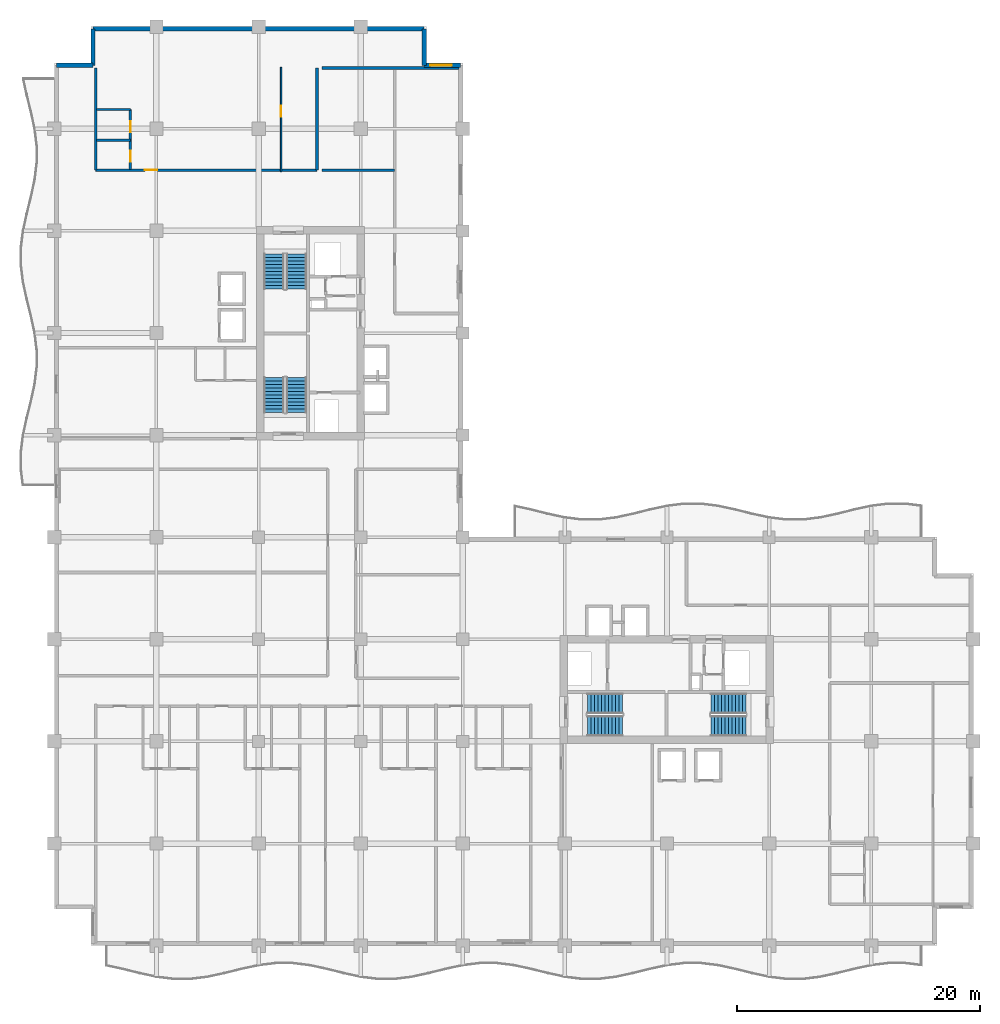
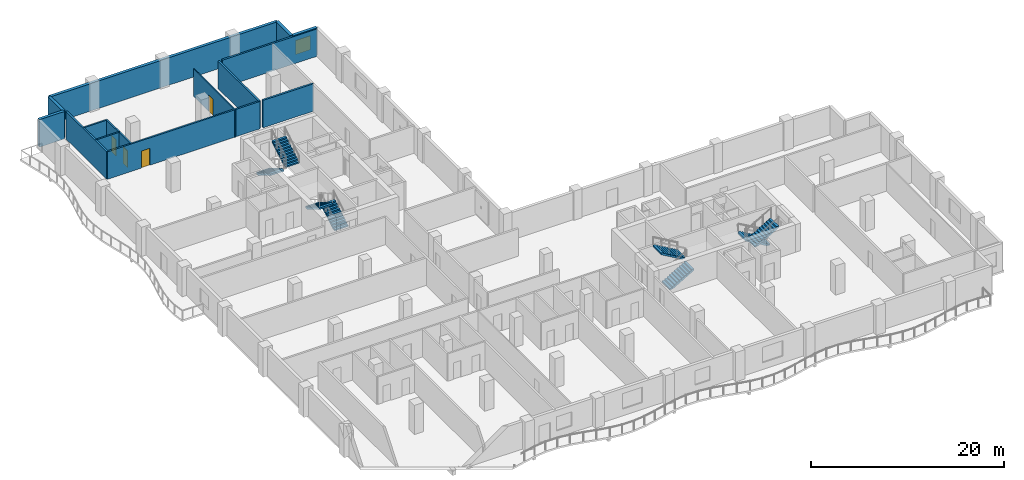
# One storey, part 9 of 14: 14 walls, 8 stair flights, 4 doors, 1 window, 5 openings, 4 elements without a shape of their own.
"""IFC4 building model written with IfcOpenShell, lengths in metres."""

from ifc_helpers import new_model, si_unit, direction, frame, frame_2d, origin, place, context, subcontext, project, spatial, polyline, rectangle, outline, extrude, material, layer, layer_set, type_object, element, fill, aggregate, save


model = new_model("IFC4")

# Units and contexts
model_context = context("Model", 3, precision=1e-05, world=origin(), true_north=direction((0.0, 1.0)))
body_context = subcontext(model_context, "Body", "Model", "MODEL_VIEW")
ifc_project = project(units=[si_unit("LENGTHUNIT", "METRE"), si_unit("AREAUNIT", "SQUARE_METRE"), si_unit("VOLUMEUNIT", "CUBIC_METRE"), si_unit("PLANEANGLEUNIT", "RADIAN"), si_unit("MASSUNIT", "GRAM", prefix="KILO")], contexts=[model_context])

# Site, building, storey
site_placement = place(None, origin())
site = spatial("IfcSite", under=ifc_project, at=site_placement, CompositionType="ELEMENT")
building_placement = place(site_placement, origin())
building = spatial("IfcBuilding", under=site, at=building_placement, Name="Koriwani Terraces Tower", CompositionType="ELEMENT")
storey_placement = place(building_placement, frame((0.0, 0.0, 201.300048828125)))
storey = spatial("IfcBuildingStorey", under=building, at=storey_placement, Name="L49", CompositionType="ELEMENT", Elevation=201.300048828125)

# Wall, opening, door
ifc_material_1 = material(Name="Autoclaved Cellular Concrete Blockwork", Category="masonry")
ifc_layer_1 = layer(ifc_material_1, 0.199951171875, Name="Autoclaved Cellular Concrete Blockwork")
ifc_layer_set_1 = layer_set([ifc_layer_1], Name="Autoclaved Cellular Concrete Blockwork")
wall_type_1 = type_object("IfcWallType", Name="WALL_CORRIDOR_200", PredefinedType="PARTITIONING", material=ifc_layer_set_1)
wall_1_placement = place(storey_placement, frame((3.39990234375, 63.800048828125, 0.0), z_axis=(0.0, 0.0, 1.0), x_axis=(1.0, 0.0, 0.0)))
wall_1 = element("IfcWall", 1, at=wall_1_placement, inside=storey, type_object=wall_type_1, Name="L49 Interior Wall WGB-L49-NWTIP-S", PredefinedType="PARTITIONING", context=body_context, shape_type="SweptSolid", body=[
    extrude(rectangle(XDim=18.2001953125, YDim=0.199951171875, at=frame_2d((9.10009765625, 0.0))), origin(), (0.0, 0.0, 1.0), 3.469970703125),
])
opening_1_placement = place(wall_1_placement, frame((4.050048828125, 0.0, 0.0)))
opening_1 = element("IfcOpeningElement", 2, at=opening_1_placement, cuts=wall_1, Name="Opening D-05", PredefinedType="OPENING", context=body_context, shape_type="SweptSolid", body=[
    extrude(rectangle(XDim=1.0, YDim=2.14990234375, at=frame_2d((0.5, 1.074951171875))), frame((0.0, 0.10986328125, 0.0), z_axis=(0.0, -1.0, 0.0), x_axis=(1.0, 0.0, 0.0)), (0.0, 0.0, 1.0), 0.219970703125),
])
ifc_material_2 = material(Name="Architectural Oak Fire Door", Category="wood")
door_type_1 = type_object("IfcDoorType", Name="DOOR_SUITE_ENTRY_1000X2150", OperationType="NOTDEFINED", PredefinedType="DOOR", material=ifc_material_2)
door_1_placement = place(opening_1_placement, origin())
door_1 = element("IfcDoor", 3, at=door_1_placement, inside=storey, type_object=door_type_1, Name="Grand Apartment 49NT Entrance Door", OperationType="SINGLE_SWING_RIGHT", OverallHeight=2.14990234375, OverallWidth=1.0, PredefinedType="DOOR", context=body_context, shape_type="SweptSolid", body=[
    extrude(rectangle(XDim=1.0, YDim=2.14990234375, at=frame_2d((0.5, 1.074951171875))), frame((0.0, 0.02490234375, 0.0), z_axis=(0.0, -1.0, 0.0), x_axis=(1.0, 0.0, 0.0)), (0.0, 0.0, 1.0), 0.050048828125),
])
fill(opening_1, door_1)

# Walls
ifc_layer_2 = layer(ifc_material_1, 0.219970703125, Name="Autoclaved Cellular Concrete Blockwork")
ifc_layer_set_2 = layer_set([ifc_layer_2], Name="Autoclaved Cellular Concrete Blockwork")
wall_type_2 = type_object("IfcWallType", Name="WALL_DEMISING_220", PredefinedType="PARTITIONING", material=ifc_layer_set_2)
for number, where, z_axis, x_axis, name in (
    (4, (21.60009765625, 63.800048828125, 0.0), (0.0, 0.0, 1.0), (0.0, 1.0, 0.0), "L49 Interior Wall WGB-L49-NWTIP-E"),
    (5, (3.39990234375, 63.800048828125, 0.0), (0.0, 0.0, 1.0), (0.0, 1.0, 0.0), "L49 Interior Wall WGB-L49-NWTIP-W"),
):
    element("IfcWall", number, at=place(storey_placement, frame(where, z_axis=z_axis, x_axis=x_axis)), inside=storey, type_object=wall_type_2, Name=name, PredefinedType="PARTITIONING", context=body_context, shape_type="SweptSolid", body=[
        extrude(rectangle(XDim=8.39990234375, YDim=0.219970703125, at=frame_2d((4.199951171875, 0.0))), origin(), (0.0, 0.0, 1.0), 3.469970703125),
    ])
wall_2_placement = place(storey_placement, frame((22.0, 72.199951171875, 0.0), z_axis=(0.0, 0.0, 1.0), x_axis=(1.0, 0.0, 0.0)))
element("IfcWall", 6, at=wall_2_placement, inside=storey, type_object=wall_type_2, Name="L49 Interior Wall WNWT2-N-L49", PredefinedType="PARTITIONING", context=body_context, shape_type="SweptSolid", body=[
    extrude(rectangle(XDim=11.300048828125, YDim=0.219970703125, at=frame_2d((5.64990234375, 0.0))), origin(), (0.0, 0.0, 1.0), 3.469970703125),
])
wall_3_placement = place(storey_placement, frame((22.0, 63.800048828125, 0.0), z_axis=(0.0, 0.0, 1.0), x_axis=(1.0, 0.0, 0.0)))
element("IfcWall", 7, at=wall_3_placement, inside=storey, type_object=wall_type_2, Name="L49 Interior Wall WNWT2-WS-L49", PredefinedType="PARTITIONING", context=body_context, shape_type="SweptSolid", body=[
    extrude(rectangle(XDim=6.0, YDim=0.219970703125, at=frame_2d((3.0, 0.0))), origin(), (0.0, 0.0, 1.0), 3.469970703125),
])
ifc_material_3 = material(Name="Concrete C50/60", Category="concrete")
ifc_layer_3 = layer(ifc_material_3, 0.35009765625, Name="Concrete C50/60")
ifc_layer_set_3 = layer_set([ifc_layer_3], Name="Concrete C50/60")
wall_type_3 = type_object("IfcWallType", Name="WALL_EXT_BRUTALIST_350", PredefinedType="STANDARD", material=ifc_layer_set_3)
for number, where, z_axis, x_axis, name in (
    (8, (0.175048828125, 72.425048828125, 0.0), (0.0, 0.0, 1.0), (1.0, 0.0, 0.0), "L49 Fair-Faced Brutalist Exterior Wall (N3)"),
    (9, (3.175048828125, 72.425048828125, 0.0), (0.0, 0.0, 1.0), (0.0, 1.0, 0.0), "L49 Fair-Faced Brutalist Exterior Wall (N4)"),
):
    element("IfcWall", number, at=place(storey_placement, frame(where, z_axis=z_axis, x_axis=x_axis)), inside=storey, type_object=wall_type_3, Name=name, PredefinedType="STANDARD", context=body_context, shape_type="SweptSolid", body=[
        extrude(rectangle(XDim=3.0, YDim=0.35009765625, at=frame_2d((1.5, 0.0))), origin(), (0.0, 0.0, 1.0), 3.469970703125),
    ])
wall_4_placement = place(storey_placement, frame((3.175048828125, 75.425048828125, 0.0), z_axis=(0.0, 0.0, 1.0), x_axis=(1.0, 0.0, 0.0)))
element("IfcWall", 10, at=wall_4_placement, inside=storey, type_object=wall_type_3, Name="L49 Fair-Faced Brutalist Exterior Wall (N_TIP)", PredefinedType="STANDARD", context=body_context, shape_type="SweptSolid", body=[
    extrude(rectangle(XDim=27.25, YDim=0.35009765625, at=frame_2d((13.625, 0.0))), origin(), (0.0, 0.0, 1.0), 3.469970703125),
])
wall_5_placement = place(storey_placement, frame((30.425048828125, 75.425048828125, 0.0), z_axis=(0.0, 0.0, 1.0), x_axis=(0.0, -1.0, 0.0)))
element("IfcWall", 11, at=wall_5_placement, inside=storey, type_object=wall_type_3, Name="L49 Fair-Faced Brutalist Exterior Wall (N6)", PredefinedType="STANDARD", context=body_context, shape_type="SweptSolid", body=[
    extrude(rectangle(XDim=3.0, YDim=0.35009765625, at=frame_2d((1.5, 0.0))), origin(), (0.0, 0.0, 1.0), 3.469970703125),
])

# Wall, opening, window
wall_6_placement = place(storey_placement, frame((30.425048828125, 72.425048828125, 0.0), z_axis=(0.0, 0.0, 1.0), x_axis=(1.0, 0.0, 0.0)))
wall_6 = element("IfcWall", 12, at=wall_6_placement, inside=storey, type_object=wall_type_3, Name="L49 Fair-Faced Brutalist Exterior Wall (N7)", PredefinedType="STANDARD", context=body_context, shape_type="SweptSolid", body=[
    extrude(rectangle(XDim=3.0, YDim=0.35009765625, at=frame_2d((1.5, 0.0))), origin(), (0.0, 0.0, 1.0), 3.469970703125),
])
opening_2_placement = place(wall_6_placement, frame((0.487548828125, 0.0, 0.85009765625)))
opening_2 = element("IfcOpeningElement", 13, at=opening_2_placement, cuts=wall_6, Name="Opening W-04", PredefinedType="OPENING", context=body_context, shape_type="SweptSolid", body=[
    extrude(rectangle(XDim=1.800048828125, YDim=1.800048828125, at=frame_2d((0.89990234375, 0.89990234375))), frame((0.0, 0.18505859375, 0.0), z_axis=(0.0, -1.0, 0.0), x_axis=(1.0, 0.0, 0.0)), (0.0, 0.0, 1.0), 0.3701171875),
])
ifc_material_4 = material(Name="Tempered Laminated Low-E Glass", Category="glass")
window_type = type_object("IfcWindowType", Name="WIN_RES_BED_1800X1800", PartitioningType="DOUBLE_PANEL_VERTICAL", PredefinedType="WINDOW", material=ifc_material_4)
window_placement = place(opening_2_placement, origin())
window = element("IfcWindow", 14, at=window_placement, inside=storey, type_object=window_type, Name="L49 Exterior Window (N7-R52)", OverallHeight=1.800048828125, OverallWidth=1.800048828125, PartitioningType="SINGLE_PANEL", PredefinedType="WINDOW", context=body_context, shape_type="SweptSolid", body=[
    extrude(rectangle(XDim=1.800048828125, YDim=1.800048828125, at=frame_2d((0.89990234375, 0.89990234375))), frame((0.0, 0.030029296875, 0.0), z_axis=(0.0, -1.0, 0.0), x_axis=(1.0, 0.0, 0.0)), (0.0, 0.0, 1.0), 0.06005859375),
])
fill(opening_2, window)

# Wall, opening, door
ifc_material_5 = material(Name="Fire-Rated Acoustic Gypsum Partition", Category="masonry")
ifc_layer_4 = layer(ifc_material_5, 0.125, Name="Fire-Rated Acoustic Gypsum Partition")
ifc_layer_set_4 = layer_set([ifc_layer_4], Name="Fire-Rated Acoustic Gypsum Partition")
wall_type_4 = type_object("IfcWallType", Name="WALL_INT_125", PredefinedType="PARTITIONING", material=ifc_layer_set_4)
wall_7_placement = place(storey_placement, frame((18.64990234375, 63.64990234375, 0.0), z_axis=(0.0, 0.0, 1.0), x_axis=(0.0, 1.0, 0.0)))
wall_7 = element("IfcWall", 15, at=wall_7_placement, inside=storey, type_object=wall_type_4, Name="L49 Interior Wall WGB-L49-NWTIP-BD", PredefinedType="PARTITIONING", context=body_context, shape_type="SweptSolid", body=[
    extrude(rectangle(XDim=8.60009765625, YDim=0.125, at=frame_2d((4.300048828125, 0.0))), origin(), (0.0, 0.0, 1.0), 3.469970703125),
])
opening_3_placement = place(wall_7_placement, frame((4.530029296875, 0.0, 0.0)))
opening_3 = element("IfcOpeningElement", 16, at=opening_3_placement, cuts=wall_7, Name="Opening D-06", PredefinedType="OPENING", context=body_context, shape_type="SweptSolid", body=[
    extrude(rectangle(XDim=0.919921875, YDim=2.10009765625, at=frame_2d((0.4599609375, 1.050048828125))), frame((0.0, 0.072509765625, 0.0), z_axis=(0.0, -1.0, 0.0), x_axis=(1.0, 0.0, 0.0)), (0.0, 0.0, 1.0), 0.14501953125),
])
door_type_2 = type_object("IfcDoorType", Name="DOOR_ROOM_INT_920X2100", OperationType="NOTDEFINED", PredefinedType="DOOR", material=ifc_material_2)
door_2_placement = place(opening_3_placement, origin())
door_2 = element("IfcDoor", 17, at=door_2_placement, inside=storey, type_object=door_type_2, Name="Grand Apartment 49NT Master Suite Door", OperationType="SINGLE_SWING_LEFT", OverallHeight=2.10009765625, OverallWidth=0.919921875, PredefinedType="DOOR", context=body_context, shape_type="SweptSolid", body=[
    extrude(rectangle(XDim=0.919921875, YDim=2.10009765625, at=frame_2d((0.4599609375, 1.050048828125))), frame((0.0, 0.02490234375, 0.0), z_axis=(0.0, -1.0, 0.0), x_axis=(1.0, 0.0, 0.0)), (0.0, 0.0, 1.0), 0.050048828125),
])
fill(opening_3, door_2)

# Wall, openings, doors
ifc_layer_5 = layer(ifc_material_5, 0.179931640625, Name="Fire-Rated Acoustic Gypsum Partition")
ifc_layer_set_5 = layer_set([ifc_layer_5], Name="Fire-Rated Acoustic Gypsum Partition")
wall_type_5 = type_object("IfcWallType", Name="WALL_PLUMBING_180", PredefinedType="PLUMBINGWALL", material=ifc_layer_set_5)
wall_8_placement = place(storey_placement, frame((6.25, 63.85009765625, 0.0), z_axis=(0.0, 0.0, 1.0), x_axis=(0.0, 1.0, 0.0)))
wall_8 = element("IfcWall", 18, at=wall_8_placement, inside=storey, type_object=wall_type_5, Name="L49 Interior Wall WGB-L49-NWTIP-SVB", PredefinedType="PLUMBINGWALL", context=body_context, shape_type="SweptSolid", body=[
    extrude(rectangle(XDim=4.949951171875, YDim=0.179931640625, at=frame_2d((2.47509765625, 0.0))), origin(), (0.0, 0.0, 1.0), 3.469970703125),
])
opening_4_placement = place(wall_8_placement, frame((0.64990234375, 0.0, 0.0)))
opening_4 = element("IfcOpeningElement", 19, at=opening_4_placement, cuts=wall_8, Name="Opening D-07", PredefinedType="OPENING", context=body_context, shape_type="SweptSolid", body=[
    extrude(rectangle(XDim=0.89990234375, YDim=2.10009765625, at=frame_2d((0.449951171875, 1.050048828125))), frame((0.0, 0.10009765625, 0.0), z_axis=(0.0, -1.0, 0.0), x_axis=(1.0, 0.0, 0.0)), (0.0, 0.0, 1.0), 0.199951171875),
])
opening_5_placement = place(wall_8_placement, frame((3.050048828125, 0.0, 0.0)))
opening_5 = element("IfcOpeningElement", 20, at=opening_5_placement, cuts=wall_8, Name="Opening D-06", PredefinedType="OPENING", context=body_context, shape_type="SweptSolid", body=[
    extrude(rectangle(XDim=0.919921875, YDim=2.10009765625, at=frame_2d((0.4599609375, 1.050048828125))), frame((0.0, 0.10009765625, 0.0), z_axis=(0.0, -1.0, 0.0), x_axis=(1.0, 0.0, 0.0)), (0.0, 0.0, 1.0), 0.199951171875),
])
door_type_3 = type_object("IfcDoorType", Name="DOOR_BATH_INT_900X2100", OperationType="NOTDEFINED", PredefinedType="DOOR", material=ifc_material_2)
door_3_placement = place(opening_4_placement, origin())
door_3 = element("IfcDoor", 21, at=door_3_placement, inside=storey, type_object=door_type_3, Name="Grand Apartment 49NT Bathroom Door", OperationType="SINGLE_SWING_LEFT", OverallHeight=2.10009765625, OverallWidth=0.89990234375, PredefinedType="DOOR", context=body_context, shape_type="SweptSolid", body=[
    extrude(rectangle(XDim=0.89990234375, YDim=2.10009765625, at=frame_2d((0.449951171875, 1.050048828125))), frame((0.0, 0.02490234375, 0.0), z_axis=(0.0, -1.0, 0.0), x_axis=(1.0, 0.0, 0.0)), (0.0, 0.0, 1.0), 0.050048828125),
])
fill(opening_4, door_3)
door_4_placement = place(opening_5_placement, origin())
door_4 = element("IfcDoor", 22, at=door_4_placement, inside=storey, type_object=door_type_2, Name="Grand Apartment 49NT Kitchen Door", OperationType="SINGLE_SWING_RIGHT", OverallHeight=2.10009765625, OverallWidth=0.919921875, PredefinedType="DOOR", context=body_context, shape_type="SweptSolid", body=[
    extrude(rectangle(XDim=0.919921875, YDim=2.10009765625, at=frame_2d((0.4599609375, 1.050048828125))), frame((0.0, 0.02490234375, 0.0), z_axis=(0.0, -1.0, 0.0), x_axis=(1.0, 0.0, 0.0)), (0.0, 0.0, 1.0), 0.050048828125),
])
fill(opening_5, door_4)

# Walls
for number, where, z_axis, x_axis, name in (
    (23, (3.449951171875, 66.25, 0.0), (0.0, 0.0, 1.0), (1.0, 0.0, 0.0), "L49 Interior Wall WGB-L49-NWTIP-SVM"),
    (24, (3.449951171875, 68.800048828125, 0.0), (0.0, 0.0, 1.0), (1.0, 0.0, 0.0), "L49 Interior Wall WGB-L49-NWTIP-SV2"),
):
    element("IfcWall", number, at=place(storey_placement, frame(where, z_axis=z_axis, x_axis=x_axis)), inside=storey, type_object=wall_type_5, Name=name, PredefinedType="PLUMBINGWALL", context=body_context, shape_type="SweptSolid", body=[
        extrude(rectangle(XDim=2.800048828125, YDim=0.179931640625, at=frame_2d((1.39990234375, 0.0))), origin(), (0.0, 0.0, 1.0), 3.469970703125),
    ])

# Stair, stair flights
ifc_material_6 = material(Name="Concrete C40/50", Category="concrete")
stair_type = type_object("IfcStairType", Name="STAIR_CORE_DOGLEG_1650", PredefinedType="TWO_STRAIGHT_RUN_STAIR", material=ifc_material_6)
stair_1_placement = place(storey_placement, origin())
stair_1 = element("IfcStair", 25, at=stair_1_placement, inside=storey, type_object=stair_type, Name="L49 West Core Exit Stair 1", PredefinedType="HALF_TURN_STAIR")
stair_flight_type = type_object("IfcStairFlightType", Name="STAIR_FLIGHT_RC_1650", PredefinedType="STRAIGHT", material=ifc_material_6)
stair_flight_1_placement = place(storey_placement, frame((19.925048828125, 43.85009765625, 0.0), z_axis=(0.0, 0.0, 1.0), x_axis=(0.0, 1.0, 0.0)))
stair_flight_1 = element("IfcStairFlight", 26, at=stair_flight_1_placement, type_object=stair_flight_type, Name="ST-W1 flight 1", NumberOfRisers=11, NumberOfTreads=10, PredefinedType="STRAIGHT", RiserHeight=0.168181818, TreadLength=0.29, context=body_context, shape_type="SweptSolid", body=[
    extrude(outline(polyline([(0.0, 0.0), (0.0, 0.168212890625), (0.2900390625, 0.168212890625), (0.2900390625, 0.33642578125), (0.580078125, 0.33642578125), (0.580078125, 0.504638671875), (0.8701171875, 0.504638671875), (0.8701171875, 0.672607421875), (1.159912109375, 0.672607421875), (1.159912109375, 0.8408203125), (1.449951171875, 0.8408203125), (1.449951171875, 1.009033203125), (1.739990234375, 1.009033203125), (1.739990234375, 1.17724609375), (2.030029296875, 1.17724609375), (2.030029296875, 1.345458984375), (2.320068359375, 1.345458984375), (2.320068359375, 1.513671875), (2.610107421875, 1.513671875), (2.610107421875, 1.681884765625), (2.89990234375, 1.681884765625), (2.89990234375, 1.85009765625), (2.89990234375, 1.473876953125), (0.358642578125, 0.0), (0.0, 0.0)])), frame((0.0, 0.824951171875, 0.0), z_axis=(0.0, -1.0, 0.0), x_axis=(1.0, 0.0, 0.0)), (0.0, 0.0, 1.0), 1.64990234375),
])
stair_flight_2_placement = place(storey_placement, frame((18.074951171875, 46.75, 1.849853515625), z_axis=(0.0, 0.0, 1.0), x_axis=(0.0, -1.0, 0.0)))
stair_flight_2 = element("IfcStairFlight", 27, at=stair_flight_2_placement, type_object=stair_flight_type, Name="ST-W1 flight 2", NumberOfRisers=11, NumberOfTreads=10, PredefinedType="STRAIGHT", RiserHeight=0.168181818, TreadLength=0.29, context=body_context, shape_type="SweptSolid", body=[
    extrude(outline(polyline([(0.0, 0.0), (0.0, 0.168212890625), (0.2900390625, 0.168212890625), (0.2900390625, 0.33642578125), (0.580078125, 0.33642578125), (0.580078125, 0.504638671875), (0.8701171875, 0.504638671875), (0.8701171875, 0.672607421875), (1.159912109375, 0.672607421875), (1.159912109375, 0.8408203125), (1.449951171875, 0.8408203125), (1.449951171875, 1.009033203125), (1.739990234375, 1.009033203125), (1.739990234375, 1.17724609375), (2.030029296875, 1.17724609375), (2.030029296875, 1.345458984375), (2.320068359375, 1.345458984375), (2.320068359375, 1.513671875), (2.610107421875, 1.513671875), (2.610107421875, 1.681884765625), (2.89990234375, 1.681884765625), (2.89990234375, 1.85009765625), (2.89990234375, 1.473876953125), (0.358642578125, 0.0), (0.0, 0.0)])), frame((0.0, 0.824951171875, 0.0), z_axis=(0.0, -1.0, 0.0), x_axis=(1.0, 0.0, 0.0)), (0.0, 0.0, 1.0), 1.64990234375),
])
aggregate(stair_1, [stair_flight_1, stair_flight_2])

stair_2_placement = place(storey_placement, origin())
stair_2 = element("IfcStair", 28, at=stair_2_placement, inside=storey, type_object=stair_type, Name="L49 West Core Exit Stair 2", PredefinedType="HALF_TURN_STAIR")
stair_flight_3_placement = place(storey_placement, frame((18.074951171875, 56.89990234375, 0.0), z_axis=(0.0, 0.0, 1.0), x_axis=(0.0, -1.0, 0.0)))
stair_flight_3 = element("IfcStairFlight", 29, at=stair_flight_3_placement, type_object=stair_flight_type, Name="ST-W2 flight 1", NumberOfRisers=11, NumberOfTreads=10, PredefinedType="STRAIGHT", RiserHeight=0.168181818, TreadLength=0.29, context=body_context, shape_type="SweptSolid", body=[
    extrude(outline(polyline([(0.0, 0.0), (0.0, 0.168212890625), (0.2900390625, 0.168212890625), (0.2900390625, 0.33642578125), (0.580078125, 0.33642578125), (0.580078125, 0.504638671875), (0.8701171875, 0.504638671875), (0.8701171875, 0.672607421875), (1.159912109375, 0.672607421875), (1.159912109375, 0.8408203125), (1.449951171875, 0.8408203125), (1.449951171875, 1.009033203125), (1.739990234375, 1.009033203125), (1.739990234375, 1.17724609375), (2.030029296875, 1.17724609375), (2.030029296875, 1.345458984375), (2.320068359375, 1.345458984375), (2.320068359375, 1.513671875), (2.610107421875, 1.513671875), (2.610107421875, 1.681884765625), (2.89990234375, 1.681884765625), (2.89990234375, 1.85009765625), (2.89990234375, 1.473876953125), (0.358642578125, 0.0), (0.0, 0.0)])), frame((0.0, 0.824951171875, 0.0), z_axis=(0.0, -1.0, 0.0), x_axis=(1.0, 0.0, 0.0)), (0.0, 0.0, 1.0), 1.64990234375),
])
stair_flight_4_placement = place(storey_placement, frame((19.925048828125, 54.0, 1.849853515625), z_axis=(0.0, 0.0, 1.0), x_axis=(0.0, 1.0, 0.0)))
stair_flight_4 = element("IfcStairFlight", 30, at=stair_flight_4_placement, type_object=stair_flight_type, Name="ST-W2 flight 2", NumberOfRisers=11, NumberOfTreads=10, PredefinedType="STRAIGHT", RiserHeight=0.168181818, TreadLength=0.29, context=body_context, shape_type="SweptSolid", body=[
    extrude(outline(polyline([(0.0, 0.0), (0.0, 0.168212890625), (0.2900390625, 0.168212890625), (0.2900390625, 0.33642578125), (0.580078125, 0.33642578125), (0.580078125, 0.504638671875), (0.8701171875, 0.504638671875), (0.8701171875, 0.672607421875), (1.159912109375, 0.672607421875), (1.159912109375, 0.8408203125), (1.449951171875, 0.8408203125), (1.449951171875, 1.009033203125), (1.739990234375, 1.009033203125), (1.739990234375, 1.17724609375), (2.030029296875, 1.17724609375), (2.030029296875, 1.345458984375), (2.320068359375, 1.345458984375), (2.320068359375, 1.513671875), (2.610107421875, 1.513671875), (2.610107421875, 1.681884765625), (2.89990234375, 1.681884765625), (2.89990234375, 1.85009765625), (2.89990234375, 1.473876953125), (0.358642578125, 0.0), (0.0, 0.0)])), frame((0.0, 0.824951171875, 0.0), z_axis=(0.0, -1.0, 0.0), x_axis=(1.0, 0.0, 0.0)), (0.0, 0.0, 1.0), 1.64990234375),
])
aggregate(stair_2, [stair_flight_3, stair_flight_4])

stair_3_placement = place(storey_placement, origin())
stair_3 = element("IfcStair", 31, at=stair_3_placement, inside=storey, type_object=stair_type, Name="L49 East Core Exit Stair 1", PredefinedType="HALF_TURN_STAIR")
stair_flight_5_placement = place(storey_placement, frame((43.85009765625, 18.074951171875, 0.0), z_axis=(0.0, 0.0, 1.0), x_axis=(1.0, 0.0, 0.0)))
stair_flight_5 = element("IfcStairFlight", 32, at=stair_flight_5_placement, type_object=stair_flight_type, Name="ST-E1 flight 1", NumberOfRisers=11, NumberOfTreads=10, PredefinedType="STRAIGHT", RiserHeight=0.168181818, TreadLength=0.29, context=body_context, shape_type="SweptSolid", body=[
    extrude(outline(polyline([(0.0, 0.0), (0.0, 0.168212890625), (0.2900390625, 0.168212890625), (0.2900390625, 0.33642578125), (0.580078125, 0.33642578125), (0.580078125, 0.504638671875), (0.8701171875, 0.504638671875), (0.8701171875, 0.672607421875), (1.159912109375, 0.672607421875), (1.159912109375, 0.8408203125), (1.449951171875, 0.8408203125), (1.449951171875, 1.009033203125), (1.739990234375, 1.009033203125), (1.739990234375, 1.17724609375), (2.030029296875, 1.17724609375), (2.030029296875, 1.345458984375), (2.320068359375, 1.345458984375), (2.320068359375, 1.513671875), (2.610107421875, 1.513671875), (2.610107421875, 1.681884765625), (2.89990234375, 1.681884765625), (2.89990234375, 1.85009765625), (2.89990234375, 1.473876953125), (0.358642578125, 0.0), (0.0, 0.0)])), frame((0.0, 0.824951171875, 0.0), z_axis=(0.0, -1.0, 0.0), x_axis=(1.0, 0.0, 0.0)), (0.0, 0.0, 1.0), 1.64990234375),
])
stair_flight_6_placement = place(storey_placement, frame((46.75, 19.925048828125, 1.849853515625), z_axis=(0.0, 0.0, 1.0), x_axis=(-1.0, 0.0, 0.0)))
stair_flight_6 = element("IfcStairFlight", 33, at=stair_flight_6_placement, type_object=stair_flight_type, Name="ST-E1 flight 2", NumberOfRisers=11, NumberOfTreads=10, PredefinedType="STRAIGHT", RiserHeight=0.168181818, TreadLength=0.29, context=body_context, shape_type="SweptSolid", body=[
    extrude(outline(polyline([(0.0, 0.0), (0.0, 0.168212890625), (0.2900390625, 0.168212890625), (0.2900390625, 0.33642578125), (0.580078125, 0.33642578125), (0.580078125, 0.504638671875), (0.8701171875, 0.504638671875), (0.8701171875, 0.672607421875), (1.159912109375, 0.672607421875), (1.159912109375, 0.8408203125), (1.449951171875, 0.8408203125), (1.449951171875, 1.009033203125), (1.739990234375, 1.009033203125), (1.739990234375, 1.17724609375), (2.030029296875, 1.17724609375), (2.030029296875, 1.345458984375), (2.320068359375, 1.345458984375), (2.320068359375, 1.513671875), (2.610107421875, 1.513671875), (2.610107421875, 1.681884765625), (2.89990234375, 1.681884765625), (2.89990234375, 1.85009765625), (2.89990234375, 1.473876953125), (0.358642578125, 0.0), (0.0, 0.0)])), frame((0.0, 0.824951171875, 0.0), z_axis=(0.0, -1.0, 0.0), x_axis=(1.0, 0.0, 0.0)), (0.0, 0.0, 1.0), 1.64990234375),
])
aggregate(stair_3, [stair_flight_5, stair_flight_6])

stair_4_placement = place(storey_placement, origin())
stair_4 = element("IfcStair", 34, at=stair_4_placement, inside=storey, type_object=stair_type, Name="L49 East Core Exit Stair 2", PredefinedType="HALF_TURN_STAIR")
stair_flight_7_placement = place(storey_placement, frame((56.89990234375, 19.925048828125, 0.0), z_axis=(0.0, 0.0, 1.0), x_axis=(-1.0, 0.0, 0.0)))
stair_flight_7 = element("IfcStairFlight", 35, at=stair_flight_7_placement, type_object=stair_flight_type, Name="ST-E2 flight 1", NumberOfRisers=11, NumberOfTreads=10, PredefinedType="STRAIGHT", RiserHeight=0.168181818, TreadLength=0.29, context=body_context, shape_type="SweptSolid", body=[
    extrude(outline(polyline([(0.0, 0.0), (0.0, 0.168212890625), (0.2900390625, 0.168212890625), (0.2900390625, 0.33642578125), (0.580078125, 0.33642578125), (0.580078125, 0.504638671875), (0.8701171875, 0.504638671875), (0.8701171875, 0.672607421875), (1.159912109375, 0.672607421875), (1.159912109375, 0.8408203125), (1.449951171875, 0.8408203125), (1.449951171875, 1.009033203125), (1.739990234375, 1.009033203125), (1.739990234375, 1.17724609375), (2.030029296875, 1.17724609375), (2.030029296875, 1.345458984375), (2.320068359375, 1.345458984375), (2.320068359375, 1.513671875), (2.610107421875, 1.513671875), (2.610107421875, 1.681884765625), (2.89990234375, 1.681884765625), (2.89990234375, 1.85009765625), (2.89990234375, 1.473876953125), (0.358642578125, 0.0), (0.0, 0.0)])), frame((0.0, 0.824951171875, 0.0), z_axis=(0.0, -1.0, 0.0), x_axis=(1.0, 0.0, 0.0)), (0.0, 0.0, 1.0), 1.64990234375),
])
stair_flight_8_placement = place(storey_placement, frame((54.0, 18.074951171875, 1.849853515625), z_axis=(0.0, 0.0, 1.0), x_axis=(1.0, 0.0, 0.0)))
stair_flight_8 = element("IfcStairFlight", 36, at=stair_flight_8_placement, type_object=stair_flight_type, Name="ST-E2 flight 2", NumberOfRisers=11, NumberOfTreads=10, PredefinedType="STRAIGHT", RiserHeight=0.168181818, TreadLength=0.29, context=body_context, shape_type="SweptSolid", body=[
    extrude(outline(polyline([(0.0, 0.0), (0.0, 0.168212890625), (0.2900390625, 0.168212890625), (0.2900390625, 0.33642578125), (0.580078125, 0.33642578125), (0.580078125, 0.504638671875), (0.8701171875, 0.504638671875), (0.8701171875, 0.672607421875), (1.159912109375, 0.672607421875), (1.159912109375, 0.8408203125), (1.449951171875, 0.8408203125), (1.449951171875, 1.009033203125), (1.739990234375, 1.009033203125), (1.739990234375, 1.17724609375), (2.030029296875, 1.17724609375), (2.030029296875, 1.345458984375), (2.320068359375, 1.345458984375), (2.320068359375, 1.513671875), (2.610107421875, 1.513671875), (2.610107421875, 1.681884765625), (2.89990234375, 1.681884765625), (2.89990234375, 1.85009765625), (2.89990234375, 1.473876953125), (0.358642578125, 0.0), (0.0, 0.0)])), frame((0.0, 0.824951171875, 0.0), z_axis=(0.0, -1.0, 0.0), x_axis=(1.0, 0.0, 0.0)), (0.0, 0.0, 1.0), 1.64990234375),
])
aggregate(stair_4, [stair_flight_7, stair_flight_8])

save(model, "model.ifc")
